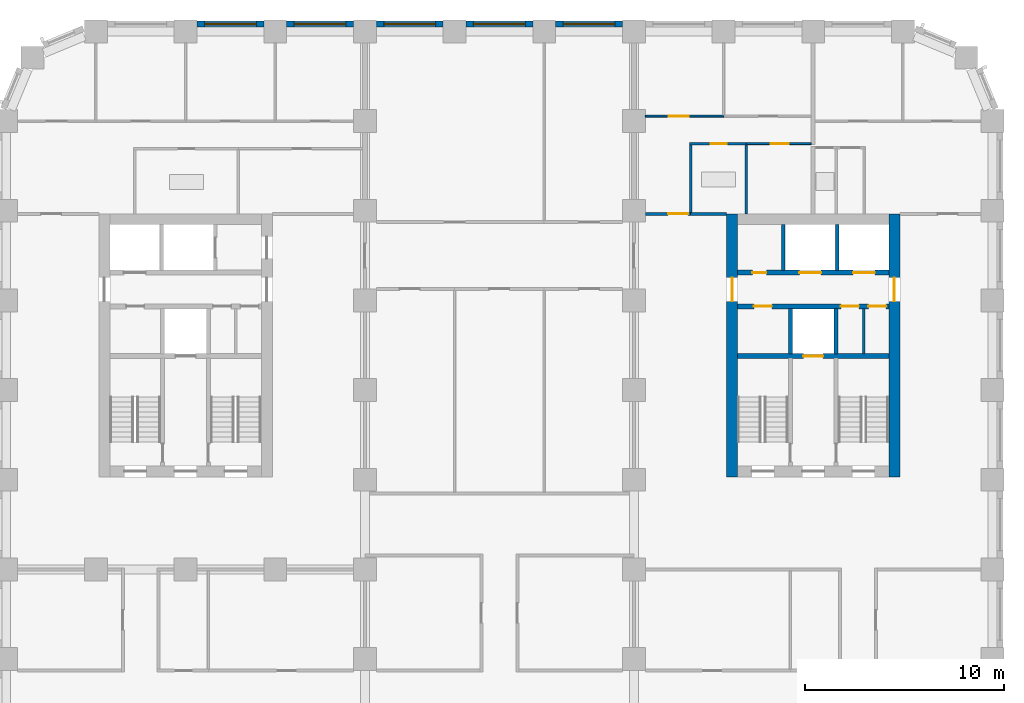
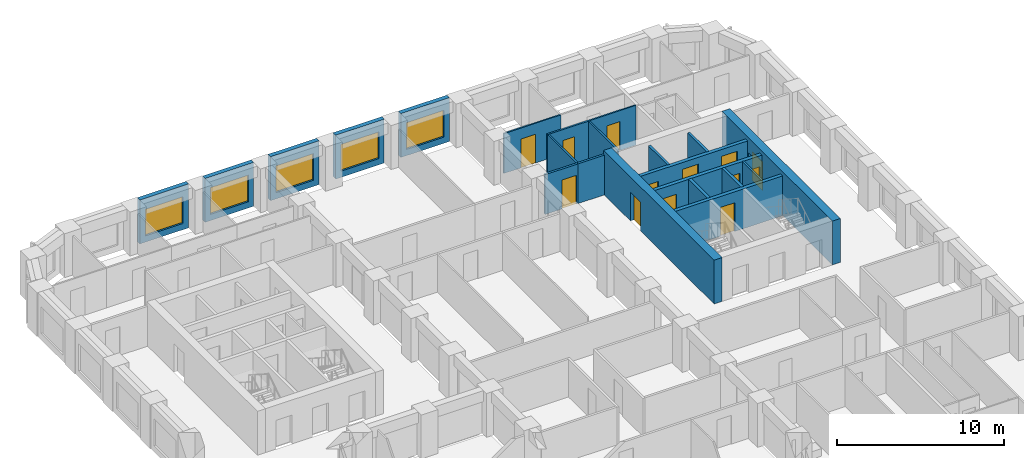
# One storey, part 8 of 13: 22 walls, 13 doors, 5 windows, 18 openings.
"""IFC4 building model written with IfcOpenShell, lengths in metres."""

from ifc_helpers import new_model, si_unit, direction, frame, frame_2d, origin, place, context, subcontext, project, spatial, rectangle, extrude, material, layer, layer_set, type_object, element, fill, save


model = new_model("IFC4")

# Units and contexts
model_context = context("Model", 3, precision=1e-05, world=origin(), true_north=direction((0.0, 1.0)))
body_context = subcontext(model_context, "Body", "Model", "MODEL_VIEW")
ifc_project = project(units=[si_unit("LENGTHUNIT", "METRE"), si_unit("AREAUNIT", "SQUARE_METRE"), si_unit("VOLUMEUNIT", "CUBIC_METRE"), si_unit("PLANEANGLEUNIT", "RADIAN"), si_unit("MASSUNIT", "GRAM", prefix="KILO")], contexts=[model_context])

# Site, building, storey
site_placement = place(None, origin())
site = spatial("IfcSite", under=ifc_project, at=site_placement, CompositionType="ELEMENT")
building_placement = place(site_placement, origin())
building = spatial("IfcBuilding", under=site, at=building_placement, Name="Girih Gate Residences", CompositionType="ELEMENT")
storey_placement = place(building_placement, frame((0.0, 0.0, 105.60009765625)))
storey = spatial("IfcBuildingStorey", under=building, at=storey_placement, Name="L29", CompositionType="ELEMENT", Elevation=105.60009765625)

# Wall
ifc_material_1 = material(Name="Gypsum board on steel studs", Category="steel")
ifc_layer_1 = layer(ifc_material_1, 0.14990234375)
ifc_layer_set_1 = layer_set([ifc_layer_1], Name="Compartment wall 150 mm")
wall_type_1 = type_object("IfcWallType", Name="Compartment wall 150 mm", PredefinedType="PARTITIONING", material=ifc_layer_set_1)
wall_1_placement = place(storey_placement, frame((34.35009765625, 40.35009765625, 0.0), z_axis=(0.0, 0.0, 1.0), x_axis=(1.0, 0.0, 0.0)))
element("IfcWall", 1, at=wall_1_placement, inside=storey, type_object=wall_type_1, Name="L29 partition", PredefinedType="PARTITIONING", context=body_context, shape_type="SweptSolid", body=[
    extrude(rectangle(XDim=1.7998046875, YDim=0.14990234375, at=frame_2d((0.89990234375, 0.0))), origin(), (0.0, 0.0, 1.0), 2.89990234375),
])

# Wall, opening, door
wall_2_placement = place(storey_placement, frame((32.074951171875, 40.35009765625, 0.0), z_axis=(0.0, 0.0, 1.0), x_axis=(1.0, 0.0, 0.0)))
wall_2 = element("IfcWall", 2, at=wall_2_placement, inside=storey, type_object=wall_type_1, Name="L29 partition", PredefinedType="PARTITIONING", context=body_context, shape_type="SweptSolid", body=[
    extrude(rectangle(XDim=2.275146484375, YDim=0.14990234375, at=frame_2d((1.1376953125, 0.0))), origin(), (0.0, 0.0, 1.0), 2.89990234375),
])
opening_1_placement = place(wall_2_placement, frame((1.14501953125, 0.0, 0.0)))
opening_1 = element("IfcOpeningElement", 3, at=opening_1_placement, cuts=wall_2, Name="Opening A29-038", PredefinedType="OPENING", context=body_context, shape_type="SweptSolid", body=[
    extrude(rectangle(XDim=1.0, YDim=2.10009765625, at=frame_2d((0.5, 1.050048828125))), frame((0.0, 0.0849609375, 0.0), z_axis=(0.0, -1.0, 0.0), x_axis=(1.0, 0.0, 0.0)), (0.0, 0.0, 1.0), 0.169921875),
])
ifc_material_2 = material(Name="Timber, fire-rated core", Category="wood")
door_type_1 = type_object("IfcDoorType", Name="Flat entrance door 1000x2100 FD30S", OperationType="NOTDEFINED", PredefinedType="DOOR", material=ifc_material_2)
door_1_placement = place(opening_1_placement, origin())
door_1 = element("IfcDoor", 4, at=door_1_placement, inside=storey, type_object=door_type_1, Name="Door A29-038", OperationType="SINGLE_SWING_RIGHT", OverallHeight=2.10009765625, OverallWidth=1.0, PredefinedType="DOOR", context=body_context, shape_type="SweptSolid", body=[
    extrude(rectangle(XDim=1.0, YDim=2.10009765625, at=frame_2d((0.5, 1.050048828125))), frame((0.0, 0.02490234375, 0.0), z_axis=(0.0, -1.0, 0.0), x_axis=(1.0, 0.0, 0.0)), (0.0, 0.0, 1.0), 0.050048828125),
])
fill(opening_1, door_1)

ifc_material_3 = material(Name="Concrete C60/75", Category="concrete")
ifc_layer_2 = layer(ifc_material_3, 0.550048828125)
ifc_layer_set_2 = layer_set([ifc_layer_2], Name="Core wall RC 550 Concrete C60/75")
wall_type_2 = type_object("IfcWallType", Name="Core wall RC 550 Concrete C60/75", PredefinedType="SOLIDWALL", material=ifc_layer_set_2)
wall_3_placement = place(storey_placement, frame((36.425048828125, 27.14990234375, 0.0), z_axis=(0.0, 0.0, 1.0), x_axis=(0.0, 1.0, 0.0)))
wall_3 = element("IfcWall", 5, at=wall_3_placement, inside=storey, type_object=wall_type_2, Name="Core wall E-W L29", PredefinedType="SOLIDWALL", context=body_context, shape_type="SweptSolid", body=[
    extrude(rectangle(XDim=13.2001953125, YDim=0.550048828125, at=frame_2d((6.60009765625, 0.0))), origin(), (0.0, 0.0, 1.0), 3.199951171875),
])
opening_2_placement = place(wall_3_placement, frame((8.800048828125, 0.0, 0.0)))
opening_2 = element("IfcOpeningElement", 6, at=opening_2_placement, cuts=wall_3, Name="Opening D-L29-E-013", PredefinedType="OPENING", context=body_context, shape_type="SweptSolid", body=[
    extrude(rectangle(XDim=1.199951171875, YDim=2.10009765625, at=frame_2d((0.60009765625, 1.050048828125))), frame((0.0, 0.284912109375, 0.0), z_axis=(0.0, -1.0, 0.0), x_axis=(1.0, 0.0, 0.0)), (0.0, 0.0, 1.0), 0.570068359375),
])
ifc_material_4 = material(Name="Painted steel, fire-resisting", Category="steel")
door_type_2 = type_object("IfcDoorType", Name="Fire door 1200x2100", OperationType="SINGLE_SWING_LEFT", PredefinedType="DOOR", material=ifc_material_4)
door_2_placement = place(opening_2_placement, origin())
door_2 = element("IfcDoor", 7, at=door_2_placement, inside=storey, type_object=door_type_2, Name="L29 E core door ll-w", OperationType="SINGLE_SWING_LEFT", OverallHeight=2.10009765625, OverallWidth=1.199951171875, PredefinedType="DOOR", context=body_context, shape_type="SweptSolid", body=[
    extrude(rectangle(XDim=1.199951171875, YDim=2.10009765625, at=frame_2d((0.60009765625, 1.050048828125))), frame((0.0, 0.02490234375, 0.0), z_axis=(0.0, -1.0, 0.0), x_axis=(1.0, 0.0, 0.0)), (0.0, 0.0, 1.0), 0.050048828125),
])
fill(opening_2, door_2)

wall_4_placement = place(storey_placement, frame((44.574951171875, 27.14990234375, 0.0), z_axis=(0.0, 0.0, 1.0), x_axis=(0.0, 1.0, 0.0)))
wall_4 = element("IfcWall", 8, at=wall_4_placement, inside=storey, type_object=wall_type_2, Name="Core wall E-E L29", PredefinedType="SOLIDWALL", context=body_context, shape_type="SweptSolid", body=[
    extrude(rectangle(XDim=13.2001953125, YDim=0.550048828125, at=frame_2d((6.60009765625, 0.0))), origin(), (0.0, 0.0, 1.0), 3.199951171875),
])
opening_3_placement = place(wall_4_placement, frame((8.800048828125, 0.0, 0.0)))
opening_3 = element("IfcOpeningElement", 9, at=opening_3_placement, cuts=wall_4, Name="Opening D-L29-E-014", PredefinedType="OPENING", context=body_context, shape_type="SweptSolid", body=[
    extrude(rectangle(XDim=1.199951171875, YDim=2.10009765625, at=frame_2d((0.60009765625, 1.050048828125))), frame((0.0, 0.284912109375, 0.0), z_axis=(0.0, -1.0, 0.0), x_axis=(1.0, 0.0, 0.0)), (0.0, 0.0, 1.0), 0.570068359375),
])
door_3_placement = place(opening_3_placement, origin())
door_3 = element("IfcDoor", 10, at=door_3_placement, inside=storey, type_object=door_type_2, Name="L29 E core door ll-e", OperationType="SINGLE_SWING_LEFT", OverallHeight=2.10009765625, OverallWidth=1.199951171875, PredefinedType="DOOR", context=body_context, shape_type="SweptSolid", body=[
    extrude(rectangle(XDim=1.199951171875, YDim=2.10009765625, at=frame_2d((0.60009765625, 1.050048828125))), frame((0.0, 0.02490234375, 0.0), z_axis=(0.0, -1.0, 0.0), x_axis=(1.0, 0.0, 0.0)), (0.0, 0.0, 1.0), 0.050048828125),
])
fill(opening_3, door_3)

ifc_material_5 = material(Name="Concrete C40/50", Category="concrete")
ifc_layer_3 = layer(ifc_material_5, 0.25)
ifc_layer_set_3 = layer_set([ifc_layer_3], Name="Lift shaft wall 250")
wall_type_3 = type_object("IfcWallType", Name="Lift shaft wall 250", PredefinedType="SOLIDWALL", material=ifc_layer_set_3)
wall_5_placement = place(storey_placement, frame((36.699951171875, 33.199951171875, 0.0), z_axis=(0.0, 0.0, 1.0), x_axis=(1.0, 0.0, 0.0)))
wall_5 = element("IfcWall", 11, at=wall_5_placement, inside=storey, type_object=wall_type_3, Name="L29 E core wall H1", PredefinedType="SOLIDWALL", context=body_context, shape_type="SweptSolid", body=[
    extrude(rectangle(XDim=7.60009765625, YDim=0.25, at=frame_2d((3.800048828125, 0.0))), origin(), (0.0, 0.0, 1.0), 2.89990234375),
])
opening_4_placement = place(wall_5_placement, frame((3.300048828125, 0.0, 0.0)))
opening_4 = element("IfcOpeningElement", 12, at=opening_4_placement, cuts=wall_5, Name="Opening D-L29-E-005", PredefinedType="OPENING", context=body_context, shape_type="SweptSolid", body=[
    extrude(rectangle(XDim=1.0, YDim=2.10009765625, at=frame_2d((0.5, 1.050048828125))), frame((0.0, 0.135009765625, 0.0), z_axis=(0.0, -1.0, 0.0), x_axis=(1.0, 0.0, 0.0)), (0.0, 0.0, 1.0), 0.27001953125),
])
ifc_material_6 = material(Name="Stainless steel, fire-resisting", Category="steel")
door_type_3 = type_object("IfcDoorType", Name="Firefighting lift landing door 1000x2100", OperationType="SLIDING_TO_LEFT", PredefinedType="DOOR", material=ifc_material_6)
door_4_placement = place(opening_4_placement, origin())
door_4 = element("IfcDoor", 13, at=door_4_placement, inside=storey, type_object=door_type_3, Name="L29 lift FF-E landing door", OperationType="SLIDING_TO_LEFT", OverallHeight=2.10009765625, OverallWidth=1.0, PredefinedType="DOOR", context=body_context, shape_type="SweptSolid", body=[
    extrude(rectangle(XDim=1.0, YDim=2.10009765625, at=frame_2d((0.5, 1.050048828125))), frame((0.0, 0.02490234375, 0.0), z_axis=(0.0, -1.0, 0.0), x_axis=(1.0, 0.0, 0.0)), (0.0, 0.0, 1.0), 0.050048828125),
])
fill(opening_4, door_4)

# Wall, openings, doors
wall_6_placement = place(storey_placement, frame((36.699951171875, 35.699951171875, 0.0), z_axis=(0.0, 0.0, 1.0), x_axis=(1.0, 0.0, 0.0)))
wall_6 = element("IfcWall", 14, at=wall_6_placement, inside=storey, type_object=wall_type_3, Name="L29 E core wall H2", PredefinedType="SOLIDWALL", context=body_context, shape_type="SweptSolid", body=[
    extrude(rectangle(XDim=7.60009765625, YDim=0.25, at=frame_2d((3.800048828125, 0.0))), origin(), (0.0, 0.0, 1.0), 2.89990234375),
])
opening_5_placement = place(wall_6_placement, frame((6.5625, 0.0, 0.0)))
opening_5 = element("IfcOpeningElement", 15, at=opening_5_placement, cuts=wall_6, Name="Opening D-L29-E-007", PredefinedType="OPENING", context=body_context, shape_type="SweptSolid", body=[
    extrude(rectangle(XDim=0.89990234375, YDim=2.10009765625, at=frame_2d((0.449951171875, 1.050048828125))), frame((0.0, 0.135009765625, 0.0), z_axis=(0.0, -1.0, 0.0), x_axis=(1.0, 0.0, 0.0)), (0.0, 0.0, 1.0), 0.27001953125),
])
opening_6_placement = place(wall_6_placement, frame((5.1875, 0.0, 0.0)))
opening_6 = element("IfcOpeningElement", 16, at=opening_6_placement, cuts=wall_6, Name="Opening D-L29-E-008", PredefinedType="OPENING", context=body_context, shape_type="SweptSolid", body=[
    extrude(rectangle(XDim=0.89990234375, YDim=2.10009765625, at=frame_2d((0.449951171875, 1.050048828125))), frame((0.0, 0.135009765625, 0.0), z_axis=(0.0, -1.0, 0.0), x_axis=(1.0, 0.0, 0.0)), (0.0, 0.0, 1.0), 0.27001953125),
])
opening_7_placement = place(wall_6_placement, frame((0.824951171875, 0.0, 0.0)))
opening_7 = element("IfcOpeningElement", 17, at=opening_7_placement, cuts=wall_6, Name="Opening D-L29-E-009", PredefinedType="OPENING", context=body_context, shape_type="SweptSolid", body=[
    extrude(rectangle(XDim=0.89990234375, YDim=2.10009765625, at=frame_2d((0.449951171875, 1.050048828125))), frame((0.0, 0.135009765625, 0.0), z_axis=(0.0, -1.0, 0.0), x_axis=(1.0, 0.0, 0.0)), (0.0, 0.0, 1.0), 0.27001953125),
])
door_type_4 = type_object("IfcDoorType", Name="Fire door 900x2100", OperationType="SINGLE_SWING_LEFT", PredefinedType="DOOR", material=ifc_material_4)
door_5_placement = place(opening_5_placement, origin())
door_5 = element("IfcDoor", 18, at=door_5_placement, inside=storey, type_object=door_type_4, Name="L29 E cleaners store door", OperationType="SINGLE_SWING_LEFT", OverallHeight=2.10009765625, OverallWidth=0.89990234375, PredefinedType="DOOR", context=body_context, shape_type="SweptSolid", body=[
    extrude(rectangle(XDim=0.89990234375, YDim=2.10009765625, at=frame_2d((0.449951171875, 1.050048828125))), frame((0.0, 0.02490234375, 0.0), z_axis=(0.0, -1.0, 0.0), x_axis=(1.0, 0.0, 0.0)), (0.0, 0.0, 1.0), 0.050048828125),
])
fill(opening_5, door_5)
door_6_placement = place(opening_6_placement, origin())
door_6 = element("IfcDoor", 19, at=door_6_placement, inside=storey, type_object=door_type_4, Name="L29 E riser room door", OperationType="SINGLE_SWING_LEFT", OverallHeight=2.10009765625, OverallWidth=0.89990234375, PredefinedType="DOOR", context=body_context, shape_type="SweptSolid", body=[
    extrude(rectangle(XDim=0.89990234375, YDim=2.10009765625, at=frame_2d((0.449951171875, 1.050048828125))), frame((0.0, 0.02490234375, 0.0), z_axis=(0.0, -1.0, 0.0), x_axis=(1.0, 0.0, 0.0)), (0.0, 0.0, 1.0), 0.050048828125),
])
fill(opening_6, door_6)
door_7_placement = place(opening_7_placement, origin())
door_7 = element("IfcDoor", 20, at=door_7_placement, inside=storey, type_object=door_type_4, Name="L29 E electrical room door", OperationType="SINGLE_SWING_LEFT", OverallHeight=2.10009765625, OverallWidth=0.89990234375, PredefinedType="DOOR", context=body_context, shape_type="SweptSolid", body=[
    extrude(rectangle(XDim=0.89990234375, YDim=2.10009765625, at=frame_2d((0.449951171875, 1.050048828125))), frame((0.0, 0.02490234375, 0.0), z_axis=(0.0, -1.0, 0.0), x_axis=(1.0, 0.0, 0.0)), (0.0, 0.0, 1.0), 0.050048828125),
])
fill(opening_7, door_7)

wall_7_placement = place(storey_placement, frame((36.699951171875, 37.39990234375, 0.0), z_axis=(0.0, 0.0, 1.0), x_axis=(1.0, 0.0, 0.0)))
wall_7 = element("IfcWall", 21, at=wall_7_placement, inside=storey, type_object=wall_type_3, Name="L29 E core wall H3", PredefinedType="SOLIDWALL", context=body_context, shape_type="SweptSolid", body=[
    extrude(rectangle(XDim=7.60009765625, YDim=0.25, at=frame_2d((3.800048828125, 0.0))), origin(), (0.0, 0.0, 1.0), 2.89990234375),
])
opening_8_placement = place(wall_7_placement, frame((5.800048828125, 0.0, 0.0)))
opening_8 = element("IfcOpeningElement", 22, at=opening_8_placement, cuts=wall_7, Name="Opening D-L29-E-003", PredefinedType="OPENING", context=body_context, shape_type="SweptSolid", body=[
    extrude(rectangle(XDim=1.10009765625, YDim=2.39990234375, at=frame_2d((0.550048828125, 1.199951171875))), frame((0.0, 0.135009765625, 0.0), z_axis=(0.0, -1.0, 0.0), x_axis=(1.0, 0.0, 0.0)), (0.0, 0.0, 1.0), 0.27001953125),
])
opening_9_placement = place(wall_7_placement, frame((3.10009765625, 0.0, 0.0)))
opening_9 = element("IfcOpeningElement", 23, at=opening_9_placement, cuts=wall_7, Name="Opening D-L29-E-004", PredefinedType="OPENING", context=body_context, shape_type="SweptSolid", body=[
    extrude(rectangle(XDim=1.10009765625, YDim=2.39990234375, at=frame_2d((0.550048828125, 1.199951171875))), frame((0.0, 0.135009765625, 0.0), z_axis=(0.0, -1.0, 0.0), x_axis=(1.0, 0.0, 0.0)), (0.0, 0.0, 1.0), 0.27001953125),
])
opening_10_placement = place(wall_7_placement, frame((0.75, 0.0, 0.0)))
opening_10 = element("IfcOpeningElement", 24, at=opening_10_placement, cuts=wall_7, Name="Opening D-L29-E-006", PredefinedType="OPENING", context=body_context, shape_type="SweptSolid", body=[
    extrude(rectangle(XDim=0.699951171875, YDim=2.10009765625, at=frame_2d((0.35009765625, 1.050048828125))), frame((0.0, 0.135009765625, 0.0), z_axis=(0.0, -1.0, 0.0), x_axis=(1.0, 0.0, 0.0)), (0.0, 0.0, 1.0), 0.27001953125),
])
ifc_material_7 = material(Name="Stainless steel", Category="steel")
door_type_5 = type_object("IfcDoorType", Name="Lift landing door 1100x2400", OperationType="SLIDING_TO_LEFT", PredefinedType="DOOR", material=ifc_material_7)
door_8_placement = place(opening_8_placement, origin())
door_8 = element("IfcDoor", 25, at=door_8_placement, inside=storey, type_object=door_type_5, Name="L29 lift LR-E1 landing door", OperationType="SLIDING_TO_LEFT", OverallHeight=2.39990234375, OverallWidth=1.10009765625, PredefinedType="DOOR", context=body_context, shape_type="SweptSolid", body=[
    extrude(rectangle(XDim=1.10009765625, YDim=2.39990234375, at=frame_2d((0.550048828125, 1.199951171875))), frame((0.0, 0.02490234375, 0.0), z_axis=(0.0, -1.0, 0.0), x_axis=(1.0, 0.0, 0.0)), (0.0, 0.0, 1.0), 0.050048828125),
])
fill(opening_8, door_8)
door_9_placement = place(opening_9_placement, origin())
door_9 = element("IfcDoor", 26, at=door_9_placement, inside=storey, type_object=door_type_5, Name="L29 lift LR-E2 landing door", OperationType="SLIDING_TO_LEFT", OverallHeight=2.39990234375, OverallWidth=1.10009765625, PredefinedType="DOOR", context=body_context, shape_type="SweptSolid", body=[
    extrude(rectangle(XDim=1.10009765625, YDim=2.39990234375, at=frame_2d((0.550048828125, 1.199951171875))), frame((0.0, 0.02490234375, 0.0), z_axis=(0.0, -1.0, 0.0), x_axis=(1.0, 0.0, 0.0)), (0.0, 0.0, 1.0), 0.050048828125),
])
fill(opening_9, door_9)
door_type_6 = type_object("IfcDoorType", Name="Riser access door 700x2100", OperationType="SINGLE_SWING_LEFT", PredefinedType="DOOR", material=ifc_material_4)
door_10_placement = place(opening_10_placement, origin())
door_10 = element("IfcDoor", 27, at=door_10_placement, inside=storey, type_object=door_type_6, Name="L29 E riser room door", OperationType="SINGLE_SWING_LEFT", OverallHeight=2.10009765625, OverallWidth=0.699951171875, PredefinedType="DOOR", context=body_context, shape_type="SweptSolid", body=[
    extrude(rectangle(XDim=0.699951171875, YDim=2.10009765625, at=frame_2d((0.35009765625, 1.050048828125))), frame((0.0, 0.02490234375, 0.0), z_axis=(0.0, -1.0, 0.0), x_axis=(1.0, 0.0, 0.0)), (0.0, 0.0, 1.0), 0.050048828125),
])
fill(opening_10, door_10)

# Wall, opening, door
ifc_layer_4 = layer(ifc_material_1, 0.10009765625)
ifc_layer_set_4 = layer_set([ifc_layer_4], Name="Partition 100 mm")
wall_type_4 = type_object("IfcWallType", Name="Partition 100 mm", PredefinedType="PARTITIONING", material=ifc_layer_set_4)
wall_8_placement = place(storey_placement, frame((40.39990234375, 43.875, 0.0), z_axis=(0.0, 0.0, 1.0), x_axis=(-1.0, 0.0, 0.0)))
wall_8 = element("IfcWall", 28, at=wall_8_placement, inside=storey, type_object=wall_type_4, Name="L29 partition", PredefinedType="PARTITIONING", context=body_context, shape_type="SweptSolid", body=[
    extrude(rectangle(XDim=3.250244140625, YDim=0.10009765625, at=frame_2d((1.625, 0.0))), origin(), (0.0, 0.0, 1.0), 2.89990234375),
])
opening_11_placement = place(wall_8_placement, frame((1.125, 0.0, 0.0)))
opening_11 = element("IfcOpeningElement", 29, at=opening_11_placement, cuts=wall_8, Name="Opening A29-036", PredefinedType="OPENING", context=body_context, shape_type="SweptSolid", body=[
    extrude(rectangle(XDim=0.89990234375, YDim=2.10009765625, at=frame_2d((0.449951171875, 1.050048828125))), frame((0.0, 0.06005859375, 0.0), z_axis=(0.0, -1.0, 0.0), x_axis=(1.0, 0.0, 0.0)), (0.0, 0.0, 1.0), 0.1201171875),
])
ifc_material_8 = material(Name="Timber", Category="wood")
door_type_7 = type_object("IfcDoorType", Name="Kitchen door 900x2100", OperationType="NOTDEFINED", PredefinedType="DOOR", material=ifc_material_8)
door_11_placement = place(opening_11_placement, origin())
door_11 = element("IfcDoor", 30, at=door_11_placement, inside=storey, type_object=door_type_7, Name="Door A29-036", OperationType="SINGLE_SWING_LEFT", OverallHeight=2.10009765625, OverallWidth=0.89990234375, PredefinedType="DOOR", context=body_context, shape_type="SweptSolid", body=[
    extrude(rectangle(XDim=0.89990234375, YDim=2.10009765625, at=frame_2d((0.449951171875, 1.050048828125))), frame((0.0, 0.02490234375, 0.0), z_axis=(0.0, -1.0, 0.0), x_axis=(1.0, 0.0, 0.0)), (0.0, 0.0, 1.0), 0.050048828125),
])
fill(opening_11, door_11)

wall_9_placement = place(storey_placement, frame((32.074951171875, 45.2548828125, 0.0), z_axis=(0.0, 0.0, 1.0), x_axis=(1.0, 0.0, 0.0)))
wall_9 = element("IfcWall", 31, at=wall_9_placement, inside=storey, type_object=wall_type_4, Name="L29 partition", PredefinedType="PARTITIONING", context=body_context, shape_type="SweptSolid", body=[
    extrude(rectangle(XDim=3.925048828125, YDim=0.10009765625, at=frame_2d((1.96240234375, 0.0))), origin(), (0.0, 0.0, 1.0), 2.89990234375),
])
opening_12_placement = place(wall_9_placement, frame((1.175048828125, 0.0, 0.0)))
opening_12 = element("IfcOpeningElement", 32, at=opening_12_placement, cuts=wall_9, Name="Opening A29-037", PredefinedType="OPENING", context=body_context, shape_type="SweptSolid", body=[
    extrude(rectangle(XDim=1.0, YDim=2.10009765625, at=frame_2d((0.5, 1.050048828125))), frame((0.0, 0.06005859375, 0.0), z_axis=(0.0, -1.0, 0.0), x_axis=(1.0, 0.0, 0.0)), (0.0, 0.0, 1.0), 0.1201171875),
])
door_type_8 = type_object("IfcDoorType", Name="Living room door 1000x2100", OperationType="NOTDEFINED", PredefinedType="DOOR", material=ifc_material_8)
door_12_placement = place(opening_12_placement, origin())
door_12 = element("IfcDoor", 33, at=door_12_placement, inside=storey, type_object=door_type_8, Name="Door A29-037", OperationType="SINGLE_SWING_LEFT", OverallHeight=2.10009765625, OverallWidth=1.0, PredefinedType="DOOR", context=body_context, shape_type="SweptSolid", body=[
    extrude(rectangle(XDim=1.0, YDim=2.10009765625, at=frame_2d((0.5, 1.050048828125))), frame((0.0, 0.02490234375, 0.0), z_axis=(0.0, -1.0, 0.0), x_axis=(1.0, 0.0, 0.0)), (0.0, 0.0, 1.0), 0.050048828125),
])
fill(opening_12, door_12)

# Wall, opening, window
ifc_material_9 = material(Name="Precast concrete C50/60", Category="concrete")
ifc_layer_5 = layer(ifc_material_9, 0.080078125, Name="Outer leaf")
ifc_material_10 = material(Name="Rigid PIR insulation")
ifc_layer_6 = layer(ifc_material_10, 0.14990234375, Name="Insulation")
ifc_material_11 = material(Name="Precast concrete C40/50", Category="concrete")
ifc_layer_7 = layer(ifc_material_11, 0.070068359375, Name="Inner leaf")
ifc_layer_set_5 = layer_set([ifc_layer_5, ifc_layer_6, ifc_layer_7], Name="Precast concrete C50/60 external wall 300")
wall_type_5 = type_object("IfcWallType", Name="Precast concrete C50/60 external wall 300", PredefinedType="SOLIDWALL", material=ifc_layer_set_5)
wall_10_placement = place(storey_placement, frame((27.574951171875, 49.875, 0.0), z_axis=(0.0, 0.0, 1.0), x_axis=(1.0, 0.0, 0.0)))
wall_10 = element("IfcWall", 34, at=wall_10_placement, inside=storey, type_object=wall_type_5, Name="External wall N0450_0495.3", PredefinedType="SOLIDWALL", context=body_context, shape_type="SweptSolid", body=[
    extrude(rectangle(XDim=3.35009765625, YDim=0.300048828125, at=frame_2d((1.675048828125, 0.0))), origin(), (0.0, 0.0, 1.0), 3.199951171875),
])
opening_13_placement = place(wall_10_placement, frame((0.375, 0.0, 0.449951171875)))
opening_13 = element("IfcOpeningElement", 35, at=opening_13_placement, cuts=wall_10, Name="Opening W-1A", PredefinedType="OPENING", context=body_context, shape_type="SweptSolid", body=[
    extrude(rectangle(XDim=2.60009765625, YDim=1.949951171875, at=frame_2d((1.300048828125, 0.97509765625))), frame((0.0, 0.159912109375, 0.0), z_axis=(0.0, -1.0, 0.0), x_axis=(1.0, 0.0, 0.0)), (0.0, 0.0, 1.0), 0.320068359375),
])
ifc_material_12 = material(Name="Double glazing in aluminium frame", Category="aluminium")
window_type = type_object("IfcWindowType", Name="Window W-1A 2600x1950", PartitioningType="SINGLE_PANEL", PredefinedType="WINDOW", material=ifc_material_12)
window_1_placement = place(opening_13_placement, origin())
window_1 = element("IfcWindow", 36, at=window_1_placement, inside=storey, type_object=window_type, Name="Window W-1A N0450_0495.3", OverallHeight=1.949951171875, OverallWidth=2.60009765625, PartitioningType="SINGLE_PANEL", PredefinedType="WINDOW", context=body_context, shape_type="SweptSolid", body=[
    extrude(rectangle(XDim=2.60009765625, YDim=1.949951171875, at=frame_2d((1.300048828125, 0.97509765625))), frame((0.0, 0.030029296875, 0.0), z_axis=(0.0, -1.0, 0.0), x_axis=(1.0, 0.0, 0.0)), (0.0, 0.0, 1.0), 0.06005859375),
])
fill(opening_13, window_1)

wall_11_placement = place(storey_placement, frame((23.074951171875, 49.875, 0.0), z_axis=(0.0, 0.0, 1.0), x_axis=(1.0, 0.0, 0.0)))
wall_11 = element("IfcWall", 37, at=wall_11_placement, inside=storey, type_object=wall_type_5, Name="External wall N0450_0495.4", PredefinedType="SOLIDWALL", context=body_context, shape_type="SweptSolid", body=[
    extrude(rectangle(XDim=3.35009765625, YDim=0.300048828125, at=frame_2d((1.675048828125, 0.0))), origin(), (0.0, 0.0, 1.0), 3.199951171875),
])
opening_14_placement = place(wall_11_placement, frame((0.375, 0.0, 0.449951171875)))
opening_14 = element("IfcOpeningElement", 38, at=opening_14_placement, cuts=wall_11, Name="Opening W-1A", PredefinedType="OPENING", context=body_context, shape_type="SweptSolid", body=[
    extrude(rectangle(XDim=2.60009765625, YDim=1.949951171875, at=frame_2d((1.300048828125, 0.97509765625))), frame((0.0, 0.159912109375, 0.0), z_axis=(0.0, -1.0, 0.0), x_axis=(1.0, 0.0, 0.0)), (0.0, 0.0, 1.0), 0.320068359375),
])
window_2_placement = place(opening_14_placement, origin())
window_2 = element("IfcWindow", 39, at=window_2_placement, inside=storey, type_object=window_type, Name="Window W-1A N0450_0495.4", OverallHeight=1.949951171875, OverallWidth=2.60009765625, PartitioningType="SINGLE_PANEL", PredefinedType="WINDOW", context=body_context, shape_type="SweptSolid", body=[
    extrude(rectangle(XDim=2.60009765625, YDim=1.949951171875, at=frame_2d((1.300048828125, 0.97509765625))), frame((0.0, 0.030029296875, 0.0), z_axis=(0.0, -1.0, 0.0), x_axis=(1.0, 0.0, 0.0)), (0.0, 0.0, 1.0), 0.06005859375),
])
fill(opening_14, window_2)

wall_12_placement = place(storey_placement, frame((18.574951171875, 49.875, 0.0), z_axis=(0.0, 0.0, 1.0), x_axis=(1.0, 0.0, 0.0)))
wall_12 = element("IfcWall", 40, at=wall_12_placement, inside=storey, type_object=wall_type_5, Name="External wall N0450_0495.5", PredefinedType="SOLIDWALL", context=body_context, shape_type="SweptSolid", body=[
    extrude(rectangle(XDim=3.35009765625, YDim=0.300048828125, at=frame_2d((1.675048828125, 0.0))), origin(), (0.0, 0.0, 1.0), 3.199951171875),
])
opening_15_placement = place(wall_12_placement, frame((0.375, 0.0, 0.449951171875)))
opening_15 = element("IfcOpeningElement", 41, at=opening_15_placement, cuts=wall_12, Name="Opening W-1A", PredefinedType="OPENING", context=body_context, shape_type="SweptSolid", body=[
    extrude(rectangle(XDim=2.60009765625, YDim=1.949951171875, at=frame_2d((1.300048828125, 0.97509765625))), frame((0.0, 0.159912109375, 0.0), z_axis=(0.0, -1.0, 0.0), x_axis=(1.0, 0.0, 0.0)), (0.0, 0.0, 1.0), 0.320068359375),
])
window_3_placement = place(opening_15_placement, origin())
window_3 = element("IfcWindow", 42, at=window_3_placement, inside=storey, type_object=window_type, Name="Window W-1A N0450_0495.5", OverallHeight=1.949951171875, OverallWidth=2.60009765625, PartitioningType="SINGLE_PANEL", PredefinedType="WINDOW", context=body_context, shape_type="SweptSolid", body=[
    extrude(rectangle(XDim=2.60009765625, YDim=1.949951171875, at=frame_2d((1.300048828125, 0.97509765625))), frame((0.0, 0.030029296875, 0.0), z_axis=(0.0, -1.0, 0.0), x_axis=(1.0, 0.0, 0.0)), (0.0, 0.0, 1.0), 0.06005859375),
])
fill(opening_15, window_3)

wall_13_placement = place(storey_placement, frame((14.074951171875, 49.875, 0.0), z_axis=(0.0, 0.0, 1.0), x_axis=(1.0, 0.0, 0.0)))
wall_13 = element("IfcWall", 43, at=wall_13_placement, inside=storey, type_object=wall_type_5, Name="External wall N0450_0495.6", PredefinedType="SOLIDWALL", context=body_context, shape_type="SweptSolid", body=[
    extrude(rectangle(XDim=3.35009765625, YDim=0.300048828125, at=frame_2d((1.675048828125, 0.0))), origin(), (0.0, 0.0, 1.0), 3.199951171875),
])
opening_16_placement = place(wall_13_placement, frame((0.375, 0.0, 0.449951171875)))
opening_16 = element("IfcOpeningElement", 44, at=opening_16_placement, cuts=wall_13, Name="Opening W-1A", PredefinedType="OPENING", context=body_context, shape_type="SweptSolid", body=[
    extrude(rectangle(XDim=2.60009765625, YDim=1.949951171875, at=frame_2d((1.300048828125, 0.97509765625))), frame((0.0, 0.159912109375, 0.0), z_axis=(0.0, -1.0, 0.0), x_axis=(1.0, 0.0, 0.0)), (0.0, 0.0, 1.0), 0.320068359375),
])
window_4_placement = place(opening_16_placement, origin())
window_4 = element("IfcWindow", 45, at=window_4_placement, inside=storey, type_object=window_type, Name="Window W-1A N0450_0495.6", OverallHeight=1.949951171875, OverallWidth=2.60009765625, PartitioningType="SINGLE_PANEL", PredefinedType="WINDOW", context=body_context, shape_type="SweptSolid", body=[
    extrude(rectangle(XDim=2.60009765625, YDim=1.949951171875, at=frame_2d((1.300048828125, 0.97509765625))), frame((0.0, 0.030029296875, 0.0), z_axis=(0.0, -1.0, 0.0), x_axis=(1.0, 0.0, 0.0)), (0.0, 0.0, 1.0), 0.06005859375),
])
fill(opening_16, window_4)

wall_14_placement = place(storey_placement, frame((9.574951171875, 49.875, 0.0), z_axis=(0.0, 0.0, 1.0), x_axis=(1.0, 0.0, 0.0)))
wall_14 = element("IfcWall", 46, at=wall_14_placement, inside=storey, type_object=wall_type_5, Name="External wall N0450_0495.7", PredefinedType="SOLIDWALL", context=body_context, shape_type="SweptSolid", body=[
    extrude(rectangle(XDim=3.35009765625, YDim=0.300048828125, at=frame_2d((1.675048828125, 0.0))), origin(), (0.0, 0.0, 1.0), 3.199951171875),
])
opening_17_placement = place(wall_14_placement, frame((0.375, 0.0, 0.449951171875)))
opening_17 = element("IfcOpeningElement", 47, at=opening_17_placement, cuts=wall_14, Name="Opening W-1A", PredefinedType="OPENING", context=body_context, shape_type="SweptSolid", body=[
    extrude(rectangle(XDim=2.60009765625, YDim=1.949951171875, at=frame_2d((1.300048828125, 0.97509765625))), frame((0.0, 0.159912109375, 0.0), z_axis=(0.0, -1.0, 0.0), x_axis=(1.0, 0.0, 0.0)), (0.0, 0.0, 1.0), 0.320068359375),
])
window_5_placement = place(opening_17_placement, origin())
window_5 = element("IfcWindow", 48, at=window_5_placement, inside=storey, type_object=window_type, Name="Window W-1A N0450_0495.7", OverallHeight=1.949951171875, OverallWidth=2.60009765625, PartitioningType="SINGLE_PANEL", PredefinedType="WINDOW", context=body_context, shape_type="SweptSolid", body=[
    extrude(rectangle(XDim=2.60009765625, YDim=1.949951171875, at=frame_2d((1.300048828125, 0.97509765625))), frame((0.0, 0.030029296875, 0.0), z_axis=(0.0, -1.0, 0.0), x_axis=(1.0, 0.0, 0.0)), (0.0, 0.0, 1.0), 0.06005859375),
])
fill(opening_17, window_5)

# Walls
ifc_layer_8 = layer(ifc_material_5, 0.175048828125)
ifc_layer_set_6 = layer_set([ifc_layer_8], Name="Riser shaft wall 175")
wall_type_6 = type_object("IfcWallType", Name="Riser shaft wall 175", PredefinedType="SOLIDWALL", material=ifc_layer_set_6)
for number, where, z_axis, x_axis, name in (
    (49, (41.699951171875, 37.5, 0.0), (0.0, 0.0, 1.0), (0.0, 1.0, 0.0), "L29 E core wall V1c"),
    (50, (39.0, 37.5, 0.0), (0.0, 0.0, 1.0), (0.0, 1.0, 0.0), "L29 E core wall V2c"),
):
    element("IfcWall", number, at=place(storey_placement, frame(where, z_axis=z_axis, x_axis=x_axis)), inside=storey, type_object=wall_type_6, Name=name, PredefinedType="SOLIDWALL", context=body_context, shape_type="SweptSolid", body=[
        extrude(rectangle(XDim=2.300048828125, YDim=0.175048828125, at=frame_2d((1.14990234375, 0.0))), origin(), (0.0, 0.0, 1.0), 2.89990234375),
    ])
ifc_layer_9 = layer(ifc_material_5, 0.199951171875)
ifc_layer_set_7 = layer_set([ifc_layer_9], Name="Shaft wall 200")
wall_type_7 = type_object("IfcWallType", Name="Shaft wall 200", PredefinedType="SOLIDWALL", material=ifc_layer_set_7)
for number, where, z_axis, x_axis, name in (
    (51, (41.64990234375, 33.300048828125, 0.0), (0.0, 0.0, 1.0), (0.0, 1.0, 0.0), "L29 E core wall V1b"),
    (52, (39.35009765625, 33.300048828125, 0.0), (0.0, 0.0, 1.0), (0.0, 1.0, 0.0), "L29 E core wall V2b"),
):
    element("IfcWall", number, at=place(storey_placement, frame(where, z_axis=z_axis, x_axis=x_axis)), inside=storey, type_object=wall_type_7, Name=name, PredefinedType="SOLIDWALL", context=body_context, shape_type="SweptSolid", body=[
        extrude(rectangle(XDim=2.300048828125, YDim=0.199951171875, at=frame_2d((1.14990234375, 0.0))), origin(), (0.0, 0.0, 1.0), 2.89990234375),
    ])
ifc_material_13 = material(Name="Calcium silicate blockwork", Category="masonry")
ifc_layer_10 = layer(ifc_material_13, 0.125)
ifc_layer_set_8 = layer_set([ifc_layer_10], Name="Store partition 125")
wall_type_8 = type_object("IfcWallType", Name="Store partition 125", PredefinedType="PARTITIONING", material=ifc_layer_set_8)
wall_15_placement = place(storey_placement, frame((43.02490234375, 33.300048828125, 0.0), z_axis=(0.0, 0.0, 1.0), x_axis=(0.0, 1.0, 0.0)))
element("IfcWall", 53, at=wall_15_placement, inside=storey, type_object=wall_type_8, Name="L29 E core wall SHR1", PredefinedType="PARTITIONING", context=body_context, shape_type="SweptSolid", body=[
    extrude(rectangle(XDim=2.300048828125, YDim=0.125, at=frame_2d((1.14990234375, 0.0))), origin(), (0.0, 0.0, 1.0), 2.89990234375),
])
ifc_layer_11 = layer(ifc_material_1, 0.125)
ifc_layer_set_9 = layer_set([ifc_layer_11], Name="Wet room wall 125 mm")
wall_type_9 = type_object("IfcWallType", Name="Wet room wall 125 mm", PredefinedType="PARTITIONING", material=ifc_layer_set_9)
wall_16_placement = place(storey_placement, frame((34.35009765625, 40.425048828125, 0.0), z_axis=(0.0, 0.0, 1.0), x_axis=(0.0, 1.0, 0.0)))
element("IfcWall", 54, at=wall_16_placement, inside=storey, type_object=wall_type_9, Name="L29 partition", PredefinedType="PARTITIONING", context=body_context, shape_type="SweptSolid", body=[
    extrude(rectangle(XDim=3.387451171875, YDim=0.125, at=frame_2d((1.69384765625, 0.0))), origin(), (0.0, 0.0, 1.0), 2.89990234375),
])

# Wall, opening, door
wall_17_placement = place(storey_placement, frame((37.149658203125, 43.875, 0.0), z_axis=(0.0, 0.0, 1.0), x_axis=(-1.0, 0.0, 0.0)))
wall_17 = element("IfcWall", 55, at=wall_17_placement, inside=storey, type_object=wall_type_9, Name="L29 partition", PredefinedType="PARTITIONING", context=body_context, shape_type="SweptSolid", body=[
    extrude(rectangle(XDim=2.862060546875, YDim=0.125, at=frame_2d((1.43115234375, 0.0))), origin(), (0.0, 0.0, 1.0), 2.89990234375),
])
opening_18_placement = place(wall_17_placement, frame((1.0, 0.0, 0.0)))
opening_18 = element("IfcOpeningElement", 56, at=opening_18_placement, cuts=wall_17, Name="Opening A29-034", PredefinedType="OPENING", context=body_context, shape_type="SweptSolid", body=[
    extrude(rectangle(XDim=0.800048828125, YDim=2.10009765625, at=frame_2d((0.39990234375, 1.050048828125))), frame((0.0, 0.072509765625, 0.0), z_axis=(0.0, -1.0, 0.0), x_axis=(1.0, 0.0, 0.0)), (0.0, 0.0, 1.0), 0.14501953125),
])
door_type_9 = type_object("IfcDoorType", Name="Bathroom door 800x2100", OperationType="NOTDEFINED", PredefinedType="DOOR", material=ifc_material_8)
door_13_placement = place(opening_18_placement, origin())
door_13 = element("IfcDoor", 57, at=door_13_placement, inside=storey, type_object=door_type_9, Name="Door A29-034", OperationType="SINGLE_SWING_LEFT", OverallHeight=2.10009765625, OverallWidth=0.800048828125, PredefinedType="DOOR", context=body_context, shape_type="SweptSolid", body=[
    extrude(rectangle(XDim=0.800048828125, YDim=2.10009765625, at=frame_2d((0.39990234375, 1.050048828125))), frame((0.0, 0.02490234375, 0.0), z_axis=(0.0, -1.0, 0.0), x_axis=(1.0, 0.0, 0.0)), (0.0, 0.0, 1.0), 0.050048828125),
])
fill(opening_18, door_13)

# Wall
wall_18_placement = place(storey_placement, frame((37.14990234375, 40.35009765625, 0.0), z_axis=(0.0, 0.0, 1.0), x_axis=(0.0, 1.0, 0.0)))
element("IfcWall", 58, at=wall_18_placement, inside=storey, type_object=wall_type_9, Name="L29 partition", PredefinedType="PARTITIONING", context=body_context, shape_type="SweptSolid", body=[
    extrude(rectangle(XDim=3.46240234375, YDim=0.125, at=frame_2d((1.731201171875, 0.0))), origin(), (0.0, 0.0, 1.0), 2.89990234375),
])

save(model, "model.ifc")
